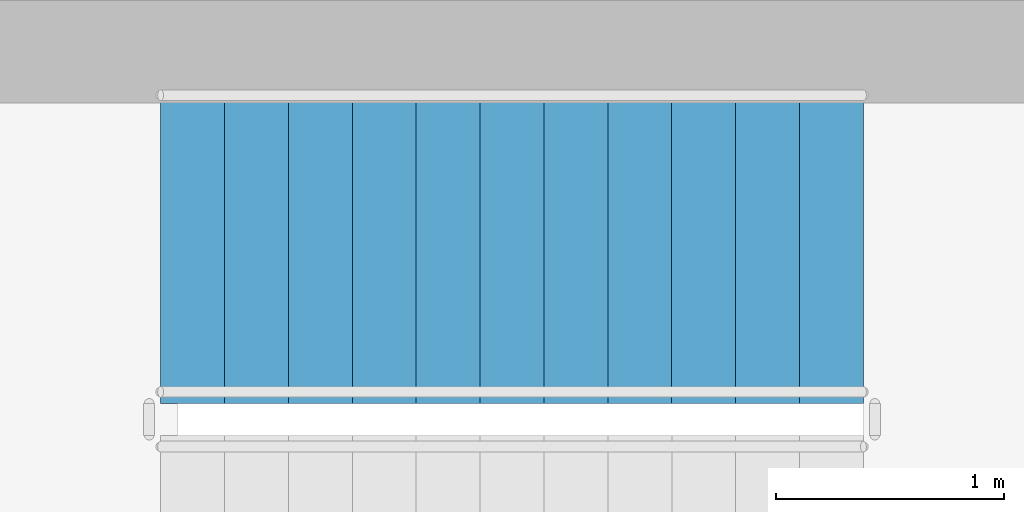
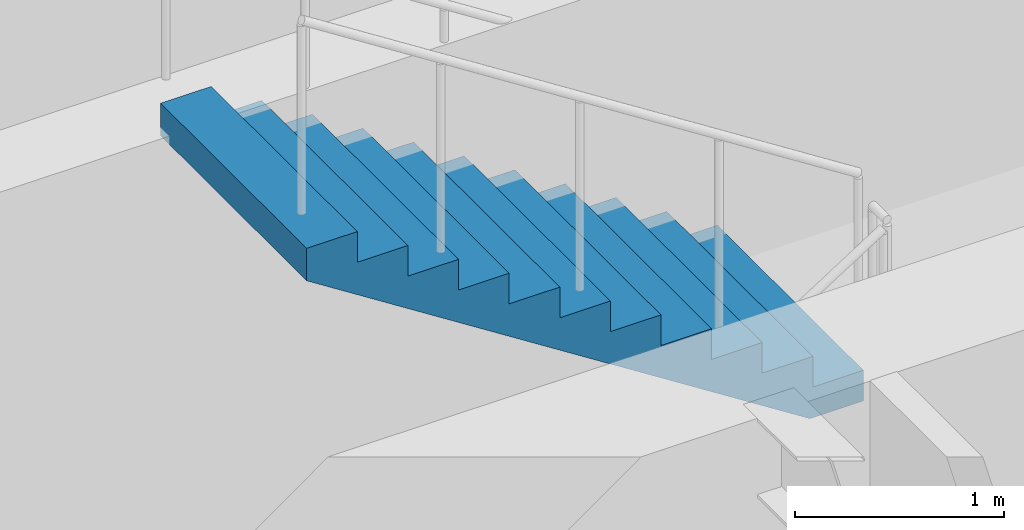
# One storey, part 19 of 30: 1 stair flight, 1 element without a shape of its own.
"""IFC4 building model written with IfcOpenShell, lengths in metres."""

from ifc_helpers import new_model, si_unit, direction, frame, origin, place, context, subcontext, project, spatial, polyline, outline, extrude, material, type_object, element, aggregate, save


model = new_model("IFC4")

# Units and contexts
model_context = context("Model", 3, precision=1e-05, world=origin(), true_north=direction((0.0, 1.0)))
body_context = subcontext(model_context, "Body", "Model", "MODEL_VIEW")
ifc_project = project(units=[si_unit("LENGTHUNIT", "METRE"), si_unit("AREAUNIT", "SQUARE_METRE"), si_unit("VOLUMEUNIT", "CUBIC_METRE"), si_unit("PLANEANGLEUNIT", "RADIAN"), si_unit("MASSUNIT", "GRAM", prefix="KILO")], contexts=[model_context])

# Site, building, storey
site_placement = place(None, origin())
site = spatial("IfcSite", under=ifc_project, at=site_placement, CompositionType="ELEMENT")
building_placement = place(site_placement, origin())
building = spatial("IfcBuilding", under=site, at=building_placement, Name="Mirazonda Arch Towers", CompositionType="ELEMENT")
storey_placement = place(building_placement, frame((0.0, 0.0, 9.5)))
storey = spatial("IfcBuildingStorey", under=building, at=storey_placement, Name="L02", CompositionType="ELEMENT", Elevation=9.5)

# Stair, stair flight
ifc_material = material(Name="Concrete C40/50", Category="concrete")
stair_type = type_object("IfcStairType", Name="STAIR-CORE-1400", PredefinedType="HALF_TURN_STAIR", material=ifc_material)
stair_placement = place(storey_placement, origin())
stair = element("IfcStair", 1, at=stair_placement, inside=storey, type_object=stair_type, Name="L02 Protected Exit Stair ST-T2N", PredefinedType="HALF_TURN_STAIR")
stair_flight_type = type_object("IfcStairFlightType", Name="FLIGHT-1400", PredefinedType="STRAIGHT", material=ifc_material)
stair_flight_placement = place(storey_placement, frame((73.929931640625, 37.659912109375, 2.14990234375), z_axis=(0.0, 0.0, 1.0), x_axis=(-1.0, 0.0, 0.0)))
stair_flight = element("IfcStairFlight", 2, at=stair_flight_placement, type_object=stair_flight_type, Name="ST-T2N flight 2", NumberOfRisers=12, NumberOfTreads=11, PredefinedType="STRAIGHT", RiserHeight=0.179166667, TreadLength=0.28, context=body_context, shape_type="SweptSolid", body=[
    extrude(outline(polyline([(0.0, 0.0), (0.0, 0.17919921875), (0.280029296875, 0.17919921875), (0.280029296875, 0.3583984375), (0.56005859375, 0.3583984375), (0.56005859375, 0.53759765625), (0.840087890625, 0.53759765625), (0.840087890625, 0.716552734375), (1.1201171875, 0.716552734375), (1.1201171875, 0.895751953125), (1.39990234375, 0.895751953125), (1.39990234375, 1.074951171875), (1.679931640625, 1.074951171875), (1.679931640625, 1.254150390625), (1.9599609375, 1.254150390625), (1.9599609375, 1.433349609375), (2.239990234375, 1.433349609375), (2.239990234375, 1.612548828125), (2.52001953125, 1.612548828125), (2.52001953125, 1.791748046875), (2.800048828125, 1.791748046875), (2.800048828125, 1.970947265625), (3.080078125, 1.970947265625), (3.080078125, 2.14990234375), (3.080078125, 1.781005859375), (0.296630859375, 0.0), (0.0, 0.0)])), frame((0.0, 0.699951171875, 0.0), z_axis=(0.0, -1.0, 0.0), x_axis=(1.0, 0.0, 0.0)), (0.0, 0.0, 1.0), 1.39990234375),
])
aggregate(stair, [stair_flight])

save(model, "model.ifc")
